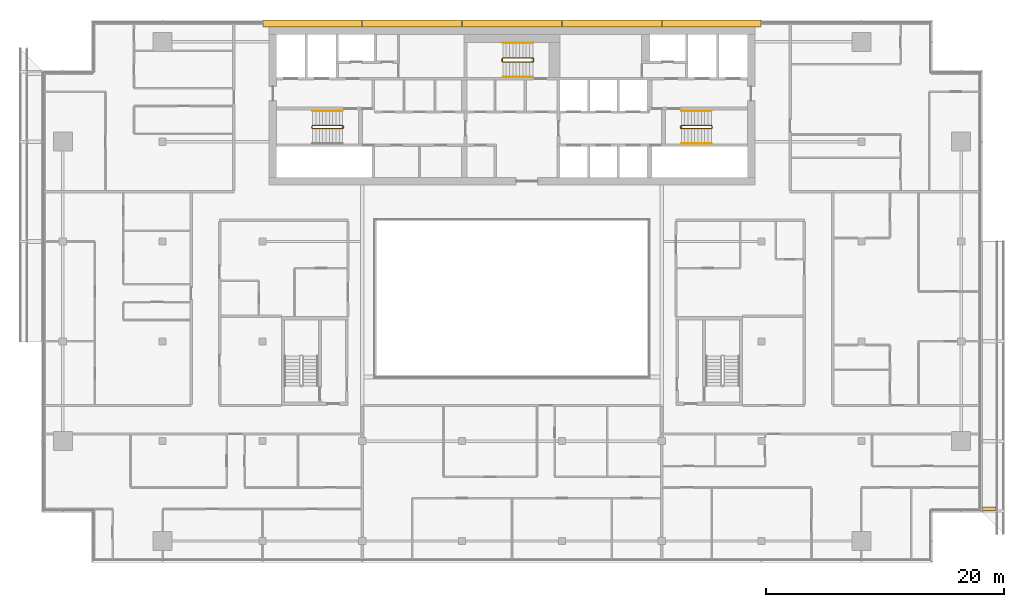
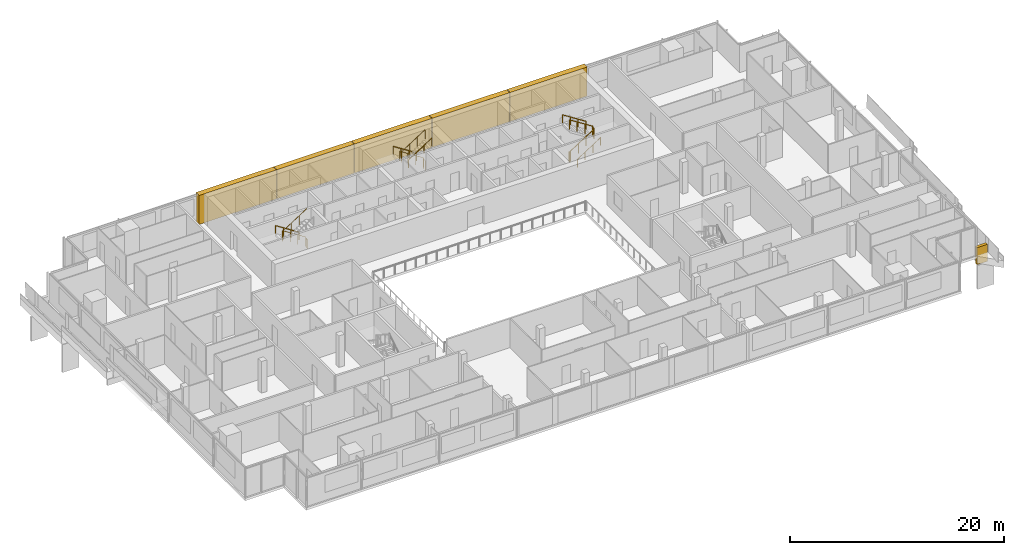
# One storey, part 27 of 28: 8 railings, 6 coverings.
"""IFC4 building model written with IfcOpenShell, lengths in metres."""

from ifc_helpers import new_model, si_unit, direction, frame, origin, origin_2d, place, context, subcontext, project, spatial, polyline, rectangle, circle, outline, extrude, material, layer, layer_set, type_object, element, save


model = new_model("IFC4")

# Units and contexts
model_context = context("Model", 3, precision=1e-05, world=origin(), true_north=direction((0.0, 1.0)))
body_context = subcontext(model_context, "Body", "Model", "MODEL_VIEW")
ifc_project = project(units=[si_unit("LENGTHUNIT", "METRE"), si_unit("AREAUNIT", "SQUARE_METRE"), si_unit("VOLUMEUNIT", "CUBIC_METRE"), si_unit("PLANEANGLEUNIT", "RADIAN"), si_unit("MASSUNIT", "GRAM", prefix="KILO")], contexts=[model_context])

# Site, building, storey
site_placement = place(None, origin())
site = spatial("IfcSite", under=ifc_project, at=site_placement, CompositionType="ELEMENT")
building_placement = place(site_placement, origin())
building = spatial("IfcBuilding", under=site, at=building_placement, Name="Saffron Gate Tower", CompositionType="ELEMENT")
storey_placement = place(building_placement, frame((0.0, 0.0, 241.5)))
storey = spatial("IfcBuildingStorey", under=building, at=storey_placement, Name="L59", CompositionType="ELEMENT", Elevation=241.5)

# Coverings
ifc_material_1 = material(Name="Ceramic-printed bronze insulated panel")
ifc_layer_1 = layer(ifc_material_1, 0.590087890625)
ifc_layer_set_1 = layer_set([ifc_layer_1], Name="CLD4 ceramic-printed cladding panel 590")
covering_type_1 = type_object("IfcCoveringType", Name="CLD4 ceramic-printed cladding panel 590", PredefinedType="CLADDING", material=ifc_layer_set_1)
covering_1_placement = place(storey_placement, origin())
element("IfcCovering", 1, at=covering_1_placement, inside=storey, type_object=covering_type_1, Name="CLADDING ceramic-printed panel", PredefinedType="CLADDING", context=body_context, shape_type="SweptSolid", body=[
    extrude(outline(polyline([(108.56494140625, 75.639892578125), (100.235107421875, 75.639892578125), (100.235107421875, 75.050048828125), (108.56494140625, 75.050048828125), (108.56494140625, 75.639892578125)])), origin(), (0.0, 0.0, 1.0), 3.320068359375),
])
covering_2_placement = place(storey_placement, origin())
element("IfcCovering", 2, at=covering_2_placement, inside=storey, type_object=covering_type_1, Name="CLADDING ceramic-printed panel", PredefinedType="CLADDING", context=body_context, shape_type="SweptSolid", body=[
    extrude(outline(polyline([(100.1650390625, 75.639892578125), (91.8349609375, 75.639892578125), (91.8349609375, 75.050048828125), (100.1650390625, 75.050048828125), (100.1650390625, 75.639892578125)])), origin(), (0.0, 0.0, 1.0), 3.320068359375),
])
covering_3_placement = place(storey_placement, origin())
element("IfcCovering", 3, at=covering_3_placement, inside=storey, type_object=covering_type_1, Name="CLADDING ceramic-printed panel", PredefinedType="CLADDING", context=body_context, shape_type="SweptSolid", body=[
    extrude(outline(polyline([(91.764892578125, 75.639892578125), (83.43505859375, 75.639892578125), (83.43505859375, 75.050048828125), (91.764892578125, 75.050048828125), (91.764892578125, 75.639892578125)])), origin(), (0.0, 0.0, 1.0), 3.320068359375),
])
covering_4_placement = place(storey_placement, origin())
element("IfcCovering", 4, at=covering_4_placement, inside=storey, type_object=covering_type_1, Name="CLADDING ceramic-printed panel", PredefinedType="CLADDING", context=body_context, shape_type="SweptSolid", body=[
    extrude(outline(polyline([(83.364990234375, 75.639892578125), (75.034912109375, 75.639892578125), (75.034912109375, 75.050048828125), (83.364990234375, 75.050048828125), (83.364990234375, 75.639892578125)])), origin(), (0.0, 0.0, 1.0), 3.320068359375),
])
covering_5_placement = place(storey_placement, origin())
element("IfcCovering", 5, at=covering_5_placement, inside=storey, type_object=covering_type_1, Name="CLADDING ceramic-printed panel", PredefinedType="CLADDING", context=body_context, shape_type="SweptSolid", body=[
    extrude(outline(polyline([(74.965087890625, 75.639892578125), (66.635009765625, 75.639892578125), (66.635009765625, 75.050048828125), (74.965087890625, 75.050048828125), (74.965087890625, 75.639892578125)])), origin(), (0.0, 0.0, 1.0), 3.320068359375),
])

# Railings
ifc_material_2 = material(Name="Stainless steel and laminated glass", Category="steel")
railing_type_1 = type_object("IfcRailingType", Name="CR1 Stair guard 1100", PredefinedType="GUARDRAIL", material=ifc_material_2)
railing_1_placement = place(storey_placement, frame((73.39990234375, 66.550048828125, 0.0)))
element("IfcRailing", 6, at=railing_1_placement, inside=storey, type_object=railing_type_1, Name="L59 ST-A stair guard 1", PredefinedType="GUARDRAIL", context=body_context, shape_type="SweptSolid", body=[
    extrude(circle(Radius=0.02392578125, at=origin_2d()), frame((0.0, 0.0, 1.076171875), z_axis=(0.0, 1.0, 0.0), x_axis=(-1.0, 0.0, 0.0)), (0.0, 0.0, 1.0), 0.14990234375),
    extrude(circle(Radius=0.02392578125, at=origin_2d()), frame((0.0, 0.14990234375, 1.076171875), z_axis=(-0.257669022063, 0.258932105505, 0.930892496375), x_axis=(-0.708833529934, -0.705375805398, 0.0)), (0.0, 0.0, 1.0), 0.193359375),
    extrude(circle(Radius=0.02392578125, at=origin_2d()), frame((-0.0498046875, 0.199951171875, 1.255859375), z_axis=(-0.841162588446, 0.0, 0.540782303519), x_axis=(0.0, -1.0, 0.0)), (0.0, 0.0, 1.0), 2.995849609375),
    extrude(circle(Radius=0.02392578125, at=origin_2d()), frame((-2.56982421875, 0.199951171875, 2.8759765625), z_axis=(-0.707106781187, -0.707106781187, 0.0), x_axis=(0.707106781187, -0.707106781187, 0.0)), (0.0, 0.0, 1.0), 0.07080078125),
    extrude(circle(Radius=0.02392578125, at=origin_2d()), frame((-2.619873046875, 0.14990234375, 2.8759765625), z_axis=(0.0, -1.0, 0.0), x_axis=(1.0, 0.0, 0.0)), (0.0, 0.0, 1.0), 0.14990234375),
    extrude(circle(Radius=0.02392578125, at=origin_2d()), frame((-2.619873046875, 0.0, 2.8759765625), z_axis=(0.258847668887, -0.258847668887, 0.930588936439), x_axis=(0.707106781187, 0.707106781187, 0.0)), (0.0, 0.0, 1.0), 0.193359375),
    extrude(circle(Radius=0.02392578125, at=origin_2d()), frame((-2.56982421875, -0.050048828125, 3.05615234375), z_axis=(0.841162588446, 0.0, 0.540782303519), x_axis=(0.0, 1.0, 0.0)), (0.0, 0.0, 1.0), 2.995849609375),
    extrude(circle(Radius=0.02099609375, at=origin_2d()), origin(), (0.0, 0.0, 1.0), 1.052001953125),
    extrude(circle(Radius=0.02099609375, at=origin_2d()), frame((0.0, 0.14990234375, 0.0)), (0.0, 0.0, 1.0), 1.052001953125),
    extrude(circle(Radius=0.02099609375, at=origin_2d()), frame((-0.0498046875, 0.199951171875, 0.179931640625)), (0.0, 0.0, 1.0), 1.052001953125),
    extrude(circle(Radius=0.02099609375, at=origin_2d()), frame((-0.889892578125, 0.199951171875, 0.719970703125)), (0.0, 0.0, 1.0), 1.052001953125),
    extrude(circle(Radius=0.02099609375, at=origin_2d()), frame((-1.729736328125, 0.199951171875, 1.260009765625)), (0.0, 0.0, 1.0), 1.052001953125),
    extrude(circle(Radius=0.02099609375, at=origin_2d()), frame((-2.56982421875, 0.199951171875, 1.800048828125)), (0.0, 0.0, 1.0), 1.052001953125),
    extrude(circle(Radius=0.02099609375, at=origin_2d()), frame((-2.619873046875, 0.14990234375, 1.800048828125)), (0.0, 0.0, 1.0), 1.052001953125),
    extrude(circle(Radius=0.02099609375, at=origin_2d()), frame((-2.619873046875, 0.0, 1.800048828125)), (0.0, 0.0, 1.0), 1.052001953125),
    extrude(circle(Radius=0.02099609375, at=origin_2d()), frame((-2.56982421875, -0.050048828125, 1.97998046875)), (0.0, 0.0, 1.0), 1.052001953125),
    extrude(circle(Radius=0.02099609375, at=origin_2d()), frame((-1.729736328125, -0.050048828125, 2.52001953125)), (0.0, 0.0, 1.0), 1.052001953125),
    extrude(circle(Radius=0.02099609375, at=origin_2d()), frame((-0.889892578125, -0.050048828125, 3.06005859375)), (0.0, 0.0, 1.0), 1.052001953125),
    extrude(circle(Radius=0.02099609375, at=origin_2d()), frame((-0.0498046875, -0.050048828125, 3.60009765625)), (0.0, 0.0, 1.0), 1.052001953125),
])
railing_2_placement = place(storey_placement, frame((101.800048828125, 66.699951171875, 0.0)))
element("IfcRailing", 7, at=railing_2_placement, inside=storey, type_object=railing_type_1, Name="L59 ST-B stair guard 1", PredefinedType="GUARDRAIL", context=body_context, shape_type="SweptSolid", body=[
    extrude(circle(Radius=0.02392578125, at=origin_2d()), frame((0.0, 0.0, 1.076171875), z_axis=(0.0, -1.0, 0.0), x_axis=(1.0, 0.0, 0.0)), (0.0, 0.0, 1.0), 0.14990234375),
    extrude(circle(Radius=0.02392578125, at=origin_2d()), frame((0.0, -0.14990234375, 1.076171875), z_axis=(0.258847668887, -0.258847668887, 0.930588936439), x_axis=(0.707106781187, 0.707106781187, 0.0)), (0.0, 0.0, 1.0), 0.193359375),
    extrude(circle(Radius=0.02392578125, at=origin_2d()), frame((0.050048828125, -0.199951171875, 1.255859375), z_axis=(0.841162588446, 0.0, 0.540782303519), x_axis=(0.0, 1.0, 0.0)), (0.0, 0.0, 1.0), 2.995849609375),
    extrude(circle(Radius=0.02392578125, at=origin_2d()), frame((2.570068359375, -0.199951171875, 2.8759765625), z_axis=(0.705375805398, 0.708833529934, 0.0), x_axis=(-0.708833529934, 0.705375805398, 0.0)), (0.0, 0.0, 1.0), 0.070556640625),
    extrude(circle(Radius=0.02392578125, at=origin_2d()), frame((2.619873046875, -0.14990234375, 2.8759765625), z_axis=(0.0, 1.0, 0.0), x_axis=(-1.0, 0.0, 0.0)), (0.0, 0.0, 1.0), 0.14990234375),
    extrude(circle(Radius=0.02392578125, at=origin_2d()), frame((2.619873046875, 0.0, 2.8759765625), z_axis=(-0.257669022063, 0.258932105505, 0.930892496375), x_axis=(-0.708833529934, -0.705375805398, 0.0)), (0.0, 0.0, 1.0), 0.193359375),
    extrude(circle(Radius=0.02392578125, at=origin_2d()), frame((2.570068359375, 0.050048828125, 3.05615234375), z_axis=(-0.841162588446, 0.0, 0.540782303519), x_axis=(0.0, -1.0, 0.0)), (0.0, 0.0, 1.0), 2.995849609375),
    extrude(circle(Radius=0.02099609375, at=origin_2d()), origin(), (0.0, 0.0, 1.0), 1.052001953125),
    extrude(circle(Radius=0.02099609375, at=origin_2d()), frame((0.0, -0.14990234375, 0.0)), (0.0, 0.0, 1.0), 1.052001953125),
    extrude(circle(Radius=0.02099609375, at=origin_2d()), frame((0.050048828125, -0.199951171875, 0.179931640625)), (0.0, 0.0, 1.0), 1.052001953125),
    extrude(circle(Radius=0.02099609375, at=origin_2d()), frame((0.89013671875, -0.199951171875, 0.719970703125)), (0.0, 0.0, 1.0), 1.052001953125),
    extrude(circle(Radius=0.02099609375, at=origin_2d()), frame((1.72998046875, -0.199951171875, 1.260009765625)), (0.0, 0.0, 1.0), 1.052001953125),
    extrude(circle(Radius=0.02099609375, at=origin_2d()), frame((2.570068359375, -0.199951171875, 1.800048828125)), (0.0, 0.0, 1.0), 1.052001953125),
    extrude(circle(Radius=0.02099609375, at=origin_2d()), frame((2.619873046875, -0.14990234375, 1.800048828125)), (0.0, 0.0, 1.0), 1.052001953125),
    extrude(circle(Radius=0.02099609375, at=origin_2d()), frame((2.619873046875, 0.0, 1.800048828125)), (0.0, 0.0, 1.0), 1.052001953125),
    extrude(circle(Radius=0.02099609375, at=origin_2d()), frame((2.570068359375, 0.050048828125, 1.97998046875)), (0.0, 0.0, 1.0), 1.052001953125),
    extrude(circle(Radius=0.02099609375, at=origin_2d()), frame((1.72998046875, 0.050048828125, 2.52001953125)), (0.0, 0.0, 1.0), 1.052001953125),
    extrude(circle(Radius=0.02099609375, at=origin_2d()), frame((0.89013671875, 0.050048828125, 3.06005859375)), (0.0, 0.0, 1.0), 1.052001953125),
    extrude(circle(Radius=0.02099609375, at=origin_2d()), frame((0.050048828125, 0.050048828125, 3.60009765625)), (0.0, 0.0, 1.0), 1.052001953125),
])
railing_3_placement = place(storey_placement, frame((89.39990234375, 72.14990234375, 0.0)))
element("IfcRailing", 8, at=railing_3_placement, inside=storey, type_object=railing_type_1, Name="L59 ST-C stair guard 1", PredefinedType="GUARDRAIL", context=body_context, shape_type="SweptSolid", body=[
    extrude(circle(Radius=0.02392578125, at=origin_2d()), frame((0.0, 0.0, 1.076171875), z_axis=(0.0, 1.0, 0.0), x_axis=(-1.0, 0.0, 0.0)), (0.0, 0.0, 1.0), 0.25),
    extrude(circle(Radius=0.02392578125, at=origin_2d()), frame((0.0, 0.25, 1.076171875), z_axis=(-0.257669022063, 0.258932105505, 0.930892496375), x_axis=(-0.708833529934, -0.705375805398, 0.0)), (0.0, 0.0, 1.0), 0.193359375),
    extrude(circle(Radius=0.02392578125, at=origin_2d()), frame((-0.0498046875, 0.300048828125, 1.255859375), z_axis=(-0.841162588446, 0.0, 0.540782303519), x_axis=(0.0, -1.0, 0.0)), (0.0, 0.0, 1.0), 2.995849609375),
    extrude(circle(Radius=0.02392578125, at=origin_2d()), frame((-2.56982421875, 0.300048828125, 2.8759765625), z_axis=(-0.707106781187, -0.707106781187, 0.0), x_axis=(0.707106781187, -0.707106781187, 0.0)), (0.0, 0.0, 1.0), 0.07080078125),
    extrude(circle(Radius=0.02392578125, at=origin_2d()), frame((-2.619873046875, 0.25, 2.8759765625), z_axis=(0.0, -1.0, 0.0), x_axis=(1.0, 0.0, 0.0)), (0.0, 0.0, 1.0), 0.25),
    extrude(circle(Radius=0.02392578125, at=origin_2d()), frame((-2.619873046875, 0.0, 2.8759765625), z_axis=(0.258932105505, -0.257669022063, 0.930892496375), x_axis=(0.705375805398, 0.708833529934, 0.0)), (0.0, 0.0, 1.0), 0.193359375),
    extrude(circle(Radius=0.02392578125, at=origin_2d()), frame((-2.56982421875, -0.0498046875, 3.05615234375), z_axis=(0.841162588446, 0.0, 0.540782303519), x_axis=(0.0, 1.0, 0.0)), (0.0, 0.0, 1.0), 2.995849609375),
    extrude(circle(Radius=0.02099609375, at=origin_2d()), origin(), (0.0, 0.0, 1.0), 1.052001953125),
    extrude(circle(Radius=0.02099609375, at=origin_2d()), frame((0.0, 0.25, 0.0)), (0.0, 0.0, 1.0), 1.052001953125),
    extrude(circle(Radius=0.02099609375, at=origin_2d()), frame((-0.0498046875, 0.300048828125, 0.179931640625)), (0.0, 0.0, 1.0), 1.052001953125),
    extrude(circle(Radius=0.02099609375, at=origin_2d()), frame((-0.889892578125, 0.300048828125, 0.719970703125)), (0.0, 0.0, 1.0), 1.052001953125),
    extrude(circle(Radius=0.02099609375, at=origin_2d()), frame((-1.729736328125, 0.300048828125, 1.260009765625)), (0.0, 0.0, 1.0), 1.052001953125),
    extrude(circle(Radius=0.02099609375, at=origin_2d()), frame((-2.56982421875, 0.300048828125, 1.800048828125)), (0.0, 0.0, 1.0), 1.052001953125),
    extrude(circle(Radius=0.02099609375, at=origin_2d()), frame((-2.619873046875, 0.25, 1.800048828125)), (0.0, 0.0, 1.0), 1.052001953125),
    extrude(circle(Radius=0.02099609375, at=origin_2d()), frame((-2.619873046875, 0.0, 1.800048828125)), (0.0, 0.0, 1.0), 1.052001953125),
    extrude(circle(Radius=0.02099609375, at=origin_2d()), frame((-2.56982421875, -0.0498046875, 1.97998046875)), (0.0, 0.0, 1.0), 1.052001953125),
    extrude(circle(Radius=0.02099609375, at=origin_2d()), frame((-1.729736328125, -0.0498046875, 2.52001953125)), (0.0, 0.0, 1.0), 1.052001953125),
    extrude(circle(Radius=0.02099609375, at=origin_2d()), frame((-0.889892578125, -0.0498046875, 3.06005859375)), (0.0, 0.0, 1.0), 1.052001953125),
    extrude(circle(Radius=0.02099609375, at=origin_2d()), frame((-0.0498046875, -0.0498046875, 3.60009765625)), (0.0, 0.0, 1.0), 1.052001953125),
])
ifc_material_3 = material(Name="Stainless steel", Category="steel")
railing_type_2 = type_object("IfcRailingType", Name="CR2 Stair handrail 900", PredefinedType="HANDRAIL", material=ifc_material_3)
railing_4_placement = place(storey_placement, frame((73.35009765625, 68.0, 0.179931640625)))
element("IfcRailing", 9, at=railing_4_placement, inside=storey, type_object=railing_type_2, Name="L59 ST-A stair handrail 1", PredefinedType="HANDRAIL", context=body_context, shape_type="SweptSolid", body=[
    extrude(circle(Radius=0.02392578125, at=origin_2d()), frame((0.0, 0.0, 0.8759765625), z_axis=(-0.841162588446, 0.0, 0.540782303519), x_axis=(0.0, -1.0, 0.0)), (0.0, 0.0, 1.0), 2.995849609375),
    extrude(circle(Radius=0.02099609375, at=origin_2d()), origin(), (0.0, 0.0, 1.0), 0.851806640625),
    extrude(circle(Radius=0.02099609375, at=origin_2d()), frame((-0.840087890625, 0.0, 0.5400390625)), (0.0, 0.0, 1.0), 0.851806640625),
    extrude(circle(Radius=0.02099609375, at=origin_2d()), frame((-1.679931640625, 0.0, 1.080078125)), (0.0, 0.0, 1.0), 0.851806640625),
    extrude(circle(Radius=0.02099609375, at=origin_2d()), frame((-2.52001953125, 0.0, 1.6201171875)), (0.0, 0.0, 1.0), 0.851806640625),
])
railing_5_placement = place(storey_placement, frame((101.85009765625, 65.25, 0.179931640625)))
element("IfcRailing", 10, at=railing_5_placement, inside=storey, type_object=railing_type_2, Name="L59 ST-B stair handrail 1", PredefinedType="HANDRAIL", context=body_context, shape_type="SweptSolid", body=[
    extrude(circle(Radius=0.02392578125, at=origin_2d()), frame((0.0, 0.0, 0.8759765625), z_axis=(0.841162588446, 0.0, 0.540782303519), x_axis=(0.0, 1.0, 0.0)), (0.0, 0.0, 1.0), 2.995849609375),
    extrude(circle(Radius=0.02099609375, at=origin_2d()), origin(), (0.0, 0.0, 1.0), 0.851806640625),
    extrude(circle(Radius=0.02099609375, at=origin_2d()), frame((0.840087890625, 0.0, 0.5400390625)), (0.0, 0.0, 1.0), 0.851806640625),
    extrude(circle(Radius=0.02099609375, at=origin_2d()), frame((1.679931640625, 0.0, 1.080078125)), (0.0, 0.0, 1.0), 0.851806640625),
    extrude(circle(Radius=0.02099609375, at=origin_2d()), frame((2.52001953125, 0.0, 1.6201171875)), (0.0, 0.0, 1.0), 0.851806640625),
])
for number, where, name in (
    (11, (104.3701171875, 68.0, 1.97998046875), "L59 ST-B stair handrail 2"),
    (12, (89.35009765625, 73.699951171875, 0.179931640625), "L59 ST-C stair handrail 1"),
):
    element("IfcRailing", number, at=place(storey_placement, frame(where)), inside=storey, type_object=railing_type_2, Name=name, PredefinedType="HANDRAIL", context=body_context, shape_type="SweptSolid", body=[
        extrude(circle(Radius=0.02392578125, at=origin_2d()), frame((0.0, 0.0, 0.8759765625), z_axis=(-0.841162588446, 0.0, 0.540782303519), x_axis=(0.0, -1.0, 0.0)), (0.0, 0.0, 1.0), 2.995849609375),
        extrude(circle(Radius=0.02099609375, at=origin_2d()), origin(), (0.0, 0.0, 1.0), 0.851806640625),
        extrude(circle(Radius=0.02099609375, at=origin_2d()), frame((-0.840087890625, 0.0, 0.5400390625)), (0.0, 0.0, 1.0), 0.851806640625),
        extrude(circle(Radius=0.02099609375, at=origin_2d()), frame((-1.679931640625, 0.0, 1.080078125)), (0.0, 0.0, 1.0), 0.851806640625),
        extrude(circle(Radius=0.02099609375, at=origin_2d()), frame((-2.52001953125, 0.0, 1.6201171875)), (0.0, 0.0, 1.0), 0.851806640625),
    ])
railing_6_placement = place(storey_placement, frame((86.830078125, 70.85009765625, 1.97998046875)))
element("IfcRailing", 13, at=railing_6_placement, inside=storey, type_object=railing_type_2, Name="L59 ST-C stair handrail 2", PredefinedType="HANDRAIL", context=body_context, shape_type="SweptSolid", body=[
    extrude(circle(Radius=0.02392578125, at=origin_2d()), frame((0.0, 0.0, 0.8759765625), z_axis=(0.841162588446, 0.0, 0.540782303519), x_axis=(0.0, 1.0, 0.0)), (0.0, 0.0, 1.0), 2.995849609375),
    extrude(circle(Radius=0.02099609375, at=origin_2d()), origin(), (0.0, 0.0, 1.0), 0.851806640625),
    extrude(circle(Radius=0.02099609375, at=origin_2d()), frame((0.840087890625, 0.0, 0.5400390625)), (0.0, 0.0, 1.0), 0.851806640625),
    extrude(circle(Radius=0.02099609375, at=origin_2d()), frame((1.679931640625, 0.0, 1.080078125)), (0.0, 0.0, 1.0), 0.851806640625),
    extrude(circle(Radius=0.02099609375, at=origin_2d()), frame((2.52001953125, 0.0, 1.6201171875)), (0.0, 0.0, 1.0), 0.851806640625),
])

# Covering
ifc_material_4 = material(Name="Timber, thermally modified ash", Category="wood")
ifc_layer_2 = layer(ifc_material_4, 0.300048828125)
ifc_layer_set_2 = layer_set([ifc_layer_2], Name="LD3 ledge riser fin")
covering_type_2 = type_object("IfcCoveringType", Name="LD3 ledge riser fin", PredefinedType="CLADDING", material=ifc_layer_set_2)
covering_6_placement = place(storey_placement, frame((127.760009765625, 34.5, -1.12890625), z_axis=(0.0, 0.0, 1.0), x_axis=(0.0, 1.0, 0.0)))
element("IfcCovering", 14, at=covering_6_placement, inside=storey, type_object=covering_type_2, Name="LEDGE riser fin", PredefinedType="CLADDING", context=body_context, shape_type="SweptSolid", body=[
    extrude(rectangle(XDim=0.300048828125, YDim=1.1201171875, at=origin_2d()), origin(), (0.0, 0.0, 1.0), 1.957275390625),
])

save(model, "model.ifc")
